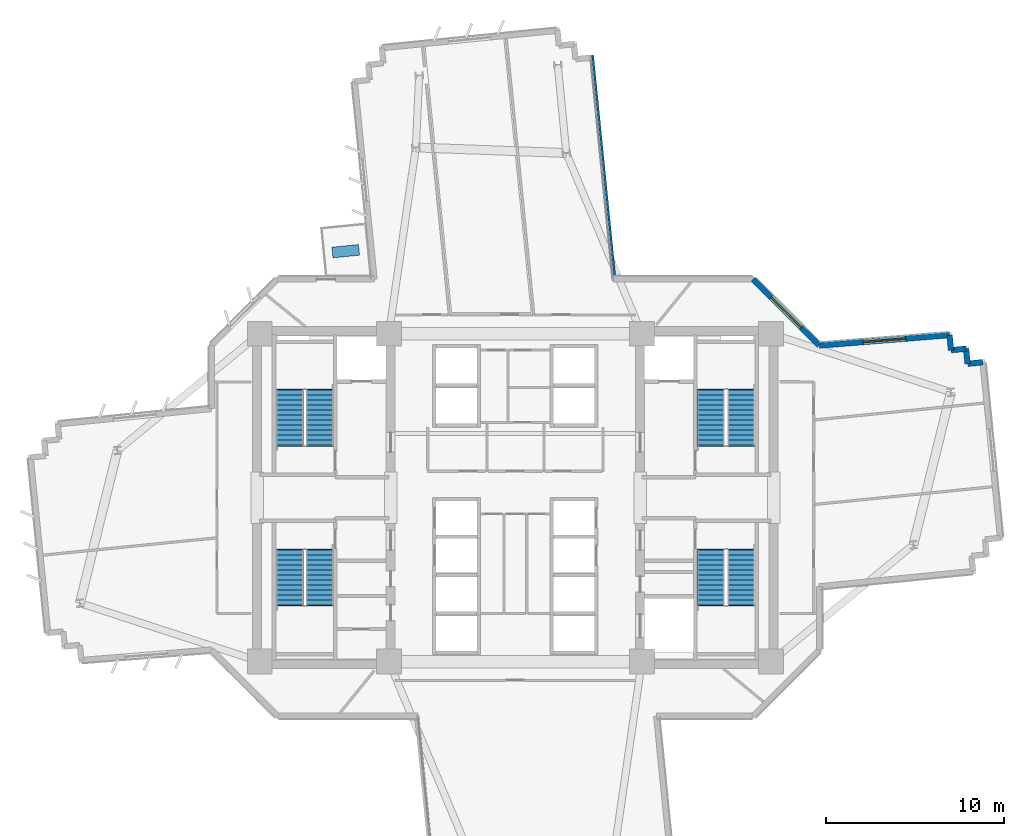
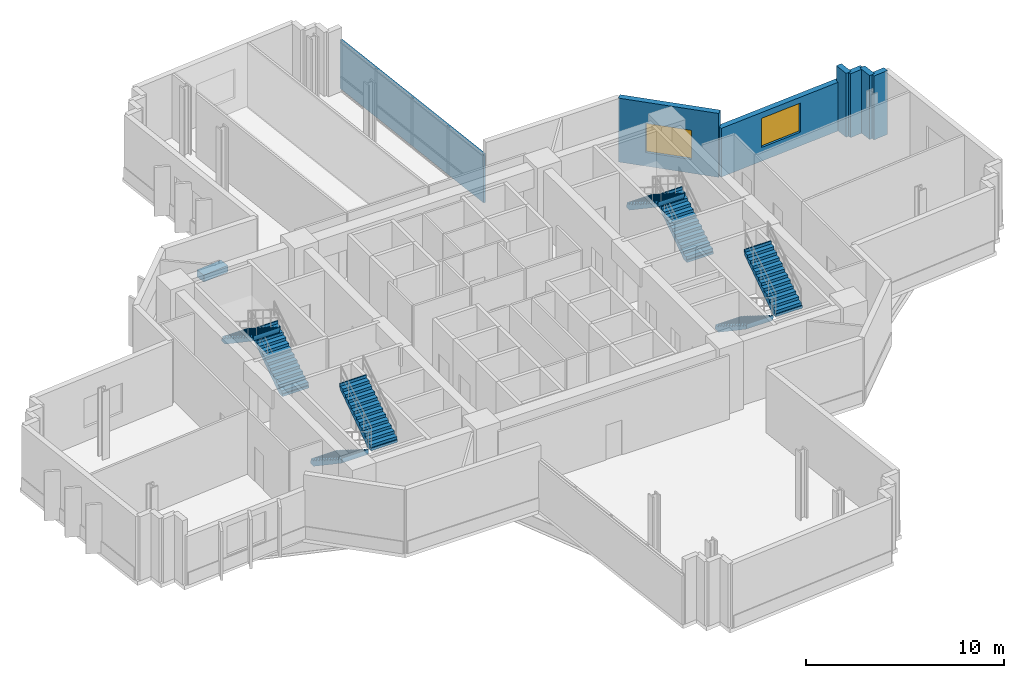
# One storey, part 10 of 14: 8 stair flights, 7 walls, 2 windows, 1 discrete accessory, 2 openings, 4 elements without a shape of their own.
"""IFC4 building model written with IfcOpenShell, lengths in metres."""

from ifc_helpers import new_model, si_unit, direction, frame, frame_2d, origin, origin_2d, place, context, subcontext, project, spatial, polyline, rectangle, outline, extrude, source, transform, mapped, material, layer, layer_set, type_object, element, fill, aggregate, save


model = new_model("IFC4")

# Units and contexts
model_context = context("Model", 3, precision=1e-05, world=origin(), true_north=direction((0.0, 1.0)))
body_context = subcontext(model_context, "Body", "Model", "MODEL_VIEW")
ifc_project = project(units=[si_unit("LENGTHUNIT", "METRE"), si_unit("AREAUNIT", "SQUARE_METRE"), si_unit("VOLUMEUNIT", "CUBIC_METRE"), si_unit("PLANEANGLEUNIT", "RADIAN"), si_unit("MASSUNIT", "GRAM", prefix="KILO")], contexts=[model_context])

# Site, building, storey
site_placement = place(None, origin())
site = spatial("IfcSite", under=ifc_project, at=site_placement, CompositionType="ELEMENT")
building_placement = place(site_placement, origin())
building = spatial("IfcBuilding", under=site, at=building_placement, Name="Zahravan Cultural Tower", CompositionType="ELEMENT")
storey_placement = place(building_placement, frame((0.0, 0.0, 100.5)))
storey = spatial("IfcBuildingStorey", under=building, at=storey_placement, Name="L22", CompositionType="ELEMENT", Elevation=100.5)

# Wall, opening, window
ifc_material_1 = material(Name="Precast concrete C40/50", Category="concrete")
ifc_layer_1 = layer(ifc_material_1, 0.320068359375)
ifc_layer_set_1 = layer_set([ifc_layer_1], Name="Precast concrete C40/50")
wall_type_1 = type_object("IfcWallType", Name="EW-TC-320", PredefinedType="SOLIDWALL", material=ifc_layer_set_1)
wall_1_placement = place(storey_placement, frame((49.342041015625, 39.260009765625, 0.0), z_axis=(0.0, 0.0, 1.0), x_axis=(0.707106781187, -0.707106781187, 0.0)))
wall_1 = element("IfcWall", 1, at=wall_1_placement, inside=storey, type_object=wall_type_1, Name="L22 Exterior Masonry Frame Wall 26", PredefinedType="SOLIDWALL", context=body_context, shape_type="SweptSolid", body=[
    extrude(rectangle(XDim=5.258056640625, YDim=0.320068359375, at=frame_2d((2.62890625, 0.0))), origin(), (0.0, 0.0, 1.0), 3.949951171875),
])
opening_1_placement = place(wall_1_placement, frame((1.428955078125, 0.0, 0.85009765625)))
opening_1 = element("IfcOpeningElement", 2, at=opening_1_placement, cuts=wall_1, Name="Opening WN-01", PredefinedType="OPENING", context=body_context, shape_type="SweptSolid", body=[
    extrude(rectangle(XDim=2.39990234375, YDim=1.800048828125, at=frame_2d((1.199951171875, 0.89990234375))), frame((0.0, 0.169921875, 0.0), z_axis=(0.0, -1.0, 0.0), x_axis=(1.0, 0.0, 0.0)), (0.0, 0.0, 1.0), 0.340087890625),
])
ifc_material_2 = material(Name="Low-E solar-control double glazing", Category="glass")
window_type = type_object("IfcWindowType", Name="WN-REC-2400X1800", PartitioningType="DOUBLE_PANEL_VERTICAL", PredefinedType="WINDOW", material=ifc_material_2)
shared_shape_1 = source(origin(), body_context, "Body", "SweptSolid", [
    extrude(rectangle(XDim=2.39990234375, YDim=1.800048828125, at=frame_2d((1.199951171875, 0.89990234375))), frame((0.0, 0.030029296875, 0.0), z_axis=(0.0, -1.0, 0.0), x_axis=(1.0, 0.0, 0.0)), (0.0, 0.0, 1.0), 0.06005859375),
])
window_1_placement = place(opening_1_placement, origin())
window_1 = element("IfcWindow", 3, at=window_1_placement, inside=storey, type_object=window_type, Name="L22 Recessed Solar Window 06", OverallHeight=1.800048828125, OverallWidth=2.39990234375, PartitioningType="DOUBLE_PANEL_VERTICAL", PredefinedType="WINDOW", context=body_context, shape_type="MappedRepresentation", body=[
    mapped(shared_shape_1, transform((0.0, 0.0, 0.0), x_axis=(1.0, 0.0, 0.0), y_axis=(0.0, 1.0, 0.0), z_axis=(0.0, 0.0, 1.0), scale=1.0)),
])
fill(opening_1, window_1)

wall_2_placement = place(storey_placement, frame((53.06005859375, 35.5419921875, 0.0), z_axis=(0.0, 0.0, 1.0), x_axis=(0.996827539556, 0.079591811023, 0.0)))
wall_2 = element("IfcWall", 4, at=wall_2_placement, inside=storey, type_object=wall_type_1, Name="L22 Exterior Masonry Frame Wall 27", PredefinedType="SOLIDWALL", context=body_context, shape_type="SweptSolid", body=[
    extrude(rectangle(XDim=7.337158203125, YDim=0.320068359375, at=frame_2d((3.66845703125, 0.0))), origin(), (0.0, 0.0, 1.0), 3.010009765625),
])
opening_2_placement = place(wall_2_placement, frame((2.468994140625, 0.0, 0.85009765625)))
opening_2 = element("IfcOpeningElement", 5, at=opening_2_placement, cuts=wall_2, Name="Opening WN-01", PredefinedType="OPENING", context=body_context, shape_type="SweptSolid", body=[
    extrude(rectangle(XDim=2.39990234375, YDim=1.800048828125, at=frame_2d((1.199951171875, 0.89990234375))), frame((0.0, 0.169921875, 0.0), z_axis=(0.0, -1.0, 0.0), x_axis=(1.0, 0.0, 0.0)), (0.0, 0.0, 1.0), 0.340087890625),
])
window_2_placement = place(opening_2_placement, origin())
window_2 = element("IfcWindow", 6, at=window_2_placement, inside=storey, type_object=window_type, Name="L22 Recessed Solar Window 07", OverallHeight=1.800048828125, OverallWidth=2.39990234375, PartitioningType="DOUBLE_PANEL_VERTICAL", PredefinedType="WINDOW", context=body_context, shape_type="MappedRepresentation", body=[
    mapped(shared_shape_1, transform((0.0, 0.0, 0.0), x_axis=(1.0, 0.0, 0.0), y_axis=(0.0, 1.0, 0.0), z_axis=(0.0, 0.0, 1.0), scale=1.0)),
])
fill(opening_2, window_2)

# Walls
shared_shape_2 = source(origin(), body_context, "Body", "SweptSolid", [
    extrude(rectangle(XDim=0.849853515625, YDim=0.320068359375, at=frame_2d((0.4248046875, 0.0))), origin(), (0.0, 0.0, 1.0), 3.949951171875),
])
for number, where, z_axis, x_axis, name in (
    (7, (60.3740234375, 36.1259765625, 0.0), (0.0, 0.0, 1.0), (0.09938995433, -0.995048560111, 0.0), "L22 Exterior Masonry Frame Wall 28"),
    (8, (61.304443359375, 35.364501953125, 0.0), (0.0, 0.0, 1.0), (0.09938995433, -0.995048560111, 0.0), "L22 Exterior Masonry Frame Wall 30"),
    (9, (61.388916015625, 34.518798828125, 0.0), (0.0, 0.0, 1.0), (0.995048560111, 0.09938995433, 0.0), "L22 Exterior Masonry Frame Wall 31"),
):
    element("IfcWall", number, at=place(storey_placement, frame(where, z_axis=z_axis, x_axis=x_axis)), inside=storey, type_object=wall_type_1, Name=name, PredefinedType="SOLIDWALL", context=body_context, shape_type="MappedRepresentation", body=[
        mapped(shared_shape_2, transform((0.0, 0.0, 0.0), x_axis=(1.0, 0.0, 0.0), y_axis=(0.0, 1.0, 0.0), z_axis=(0.0, 0.0, 1.0), scale=1.0)),
    ])
shared_shape_3 = source(origin(), body_context, "Body", "SweptSolid", [
    extrude(rectangle(XDim=0.85009765625, YDim=0.320068359375, at=frame_2d((0.425048828125, 0.0))), origin(), (0.0, 0.0, 1.0), 3.949951171875),
])
wall_3_placement = place(storey_placement, frame((60.45849609375, 35.2802734375, 0.0), z_axis=(0.0, 0.0, 1.0), x_axis=(0.995079749343, 0.09907720448, 0.0)))
element("IfcWall", 10, at=wall_3_placement, inside=storey, type_object=wall_type_1, Name="L22 Exterior Masonry Frame Wall 29", PredefinedType="SOLIDWALL", context=body_context, shape_type="MappedRepresentation", body=[
    mapped(shared_shape_3, transform((0.0, 0.0, 0.0), x_axis=(1.0, 0.0, 0.0), y_axis=(0.0, 1.0, 0.0), z_axis=(0.0, 0.0, 1.0), scale=1.0)),
])
ifc_material_3 = material(Name="Gypsum plasterboard partition")
ifc_layer_2 = layer(ifc_material_3, 0.125)
ifc_layer_set_2 = layer_set([ifc_layer_2], Name="Gypsum plasterboard partition")
wall_type_2 = type_object("IfcWallType", Name="W-PART-125", PredefinedType="PARTITIONING", material=ifc_layer_set_2)
shared_shape_4 = source(origin(), body_context, "Body", "SweptSolid", [
    extrude(rectangle(XDim=12.470458984375, YDim=0.125, at=frame_2d((6.2353515625, 0.0))), origin(), (0.0, 0.0, 1.0), 3.010009765625),
])
wall_4_placement = place(storey_placement, frame((40.3349609375, 51.83349609375, 0.0), z_axis=(0.0, 0.0, 1.0), x_axis=(0.099590945301, -0.99502846372, 0.0)))
element("IfcWall", 11, at=wall_4_placement, inside=storey, type_object=wall_type_2, Name="L22 Interior Wall 111", PredefinedType="PARTITIONING", context=body_context, shape_type="MappedRepresentation", body=[
    mapped(shared_shape_4, transform((0.0, 0.0, 0.0), x_axis=(1.0, 0.0, 0.0), y_axis=(0.0, 1.0, 0.0), z_axis=(0.0, 0.0, 1.0), scale=1.0)),
])

# Stair, stair flights
ifc_material_4 = material(Name="Concrete C45/55", Category="concrete")
stair_type = type_object("IfcStairType", Name="STR-DL-1550-420", PredefinedType="HALF_TURN_STAIR", material=ifc_material_4)
stair_1_placement = place(storey_placement, origin())
stair_1 = element("IfcStair", 12, at=stair_1_placement, inside=storey, type_object=stair_type, Name="L22 West Core North Exit Stair ST-W1", PredefinedType="HALF_TURN_STAIR")
stair_flight_type = type_object("IfcStairFlightType", Name="FLG-DL-1550-420", PredefinedType="STRAIGHT", material=ifc_material_4)
stair_flight_1_placement = place(storey_placement, frame((25.02490234375, 29.949951171875, 0.0), z_axis=(0.0, 0.0, 1.0), x_axis=(0.0, 1.0, 0.0)))
stair_flight_1 = element("IfcStairFlight", 13, at=stair_flight_1_placement, type_object=stair_flight_type, Name="ST-W1 flight 1", NumberOfRisers=12, NumberOfTreads=11, PredefinedType="STRAIGHT", RiserHeight=0.175, TreadLength=0.28, context=body_context, shape_type="SweptSolid", body=[
    extrude(outline(polyline([(-0.06494140625, -0.139892578125), (-0.06494140625, 0.0), (0.0, 0.0), (0.0, 0.175048828125), (0.280029296875, 0.175048828125), (0.280029296875, 0.35009765625), (0.56005859375, 0.35009765625), (0.56005859375, 0.52490234375), (0.840087890625, 0.52490234375), (0.840087890625, 0.699951171875), (1.1201171875, 0.699951171875), (1.1201171875, 0.875), (1.39990234375, 0.875), (1.39990234375, 1.050048828125), (1.679931640625, 1.050048828125), (1.679931640625, 1.22509765625), (1.9599609375, 1.22509765625), (1.9599609375, 1.39990234375), (2.239990234375, 1.39990234375), (2.239990234375, 1.574951171875), (2.52001953125, 1.574951171875), (2.52001953125, 1.75), (2.800048828125, 1.75), (2.800048828125, 1.925048828125), (3.080078125, 1.925048828125), (3.080078125, 2.10009765625), (3.14501953125, 2.10009765625), (3.14501953125, 1.9501953125), (3.080078125, 1.748291015625), (0.28271484375, -0.139892578125), (-0.06494140625, -0.139892578125)])), frame((0.0, 0.77490234375, 0.0), z_axis=(0.0, -1.0, 0.0), x_axis=(1.0, 0.0, 0.0)), (0.0, 0.0, 1.0), 1.550048828125),
])
stair_flight_2_placement = place(storey_placement, frame((23.324951171875, 33.030029296875, 2.10009765625), z_axis=(0.0, 0.0, 1.0), x_axis=(0.0, -1.0, 0.0)))
stair_flight_2 = element("IfcStairFlight", 14, at=stair_flight_2_placement, type_object=stair_flight_type, Name="ST-W1 flight 2", NumberOfRisers=12, NumberOfTreads=11, PredefinedType="STRAIGHT", RiserHeight=0.175, TreadLength=0.28, context=body_context, shape_type="SweptSolid", body=[
    extrude(outline(polyline([(-0.06494140625, -0.139892578125), (-0.06494140625, 0.0), (0.0, 0.0), (0.0, 0.175048828125), (0.280029296875, 0.175048828125), (0.280029296875, 0.35009765625), (0.56005859375, 0.35009765625), (0.56005859375, 0.52490234375), (0.840087890625, 0.52490234375), (0.840087890625, 0.699951171875), (1.1201171875, 0.699951171875), (1.1201171875, 0.875), (1.39990234375, 0.875), (1.39990234375, 1.050048828125), (1.679931640625, 1.050048828125), (1.679931640625, 1.22509765625), (1.9599609375, 1.22509765625), (1.9599609375, 1.39990234375), (2.239990234375, 1.39990234375), (2.239990234375, 1.574951171875), (2.52001953125, 1.574951171875), (2.52001953125, 1.75), (2.800048828125, 1.75), (2.800048828125, 1.925048828125), (3.080078125, 1.925048828125), (3.080078125, 2.10009765625), (3.14501953125, 2.10009765625), (3.14501953125, 1.9501953125), (3.080078125, 1.748291015625), (0.28271484375, -0.139892578125), (-0.06494140625, -0.139892578125)])), frame((0.0, 0.77490234375, 0.0), z_axis=(0.0, -1.0, 0.0), x_axis=(1.0, 0.0, 0.0)), (0.0, 0.0, 1.0), 1.550048828125),
])
aggregate(stair_1, [stair_flight_1, stair_flight_2])

stair_2_placement = place(storey_placement, origin())
stair_2 = element("IfcStair", 15, at=stair_2_placement, inside=storey, type_object=stair_type, Name="L22 West Core South Exit Stair ST-W2", PredefinedType="HALF_TURN_STAIR")
stair_flight_3_placement = place(storey_placement, frame((23.324951171875, 24.050048828125, 0.0), z_axis=(0.0, 0.0, 1.0), x_axis=(0.0, -1.0, 0.0)))
stair_flight_3 = element("IfcStairFlight", 16, at=stair_flight_3_placement, type_object=stair_flight_type, Name="ST-W2 flight 1", NumberOfRisers=12, NumberOfTreads=11, PredefinedType="STRAIGHT", RiserHeight=0.175, TreadLength=0.28, context=body_context, shape_type="SweptSolid", body=[
    extrude(outline(polyline([(-0.06494140625, -0.139892578125), (-0.06494140625, 0.0), (0.0, 0.0), (0.0, 0.175048828125), (0.280029296875, 0.175048828125), (0.280029296875, 0.35009765625), (0.56005859375, 0.35009765625), (0.56005859375, 0.52490234375), (0.840087890625, 0.52490234375), (0.840087890625, 0.699951171875), (1.1201171875, 0.699951171875), (1.1201171875, 0.875), (1.39990234375, 0.875), (1.39990234375, 1.050048828125), (1.679931640625, 1.050048828125), (1.679931640625, 1.22509765625), (1.9599609375, 1.22509765625), (1.9599609375, 1.39990234375), (2.239990234375, 1.39990234375), (2.239990234375, 1.574951171875), (2.52001953125, 1.574951171875), (2.52001953125, 1.75), (2.800048828125, 1.75), (2.800048828125, 1.925048828125), (3.080078125, 1.925048828125), (3.080078125, 2.10009765625), (3.14501953125, 2.10009765625), (3.14501953125, 1.9501953125), (3.080078125, 1.748291015625), (0.28271484375, -0.139892578125), (-0.06494140625, -0.139892578125)])), frame((0.0, 0.77490234375, 0.0), z_axis=(0.0, -1.0, 0.0), x_axis=(1.0, 0.0, 0.0)), (0.0, 0.0, 1.0), 1.550048828125),
])
stair_flight_4_placement = place(storey_placement, frame((25.02490234375, 20.969970703125, 2.10009765625), z_axis=(0.0, 0.0, 1.0), x_axis=(0.0, 1.0, 0.0)))
stair_flight_4 = element("IfcStairFlight", 17, at=stair_flight_4_placement, type_object=stair_flight_type, Name="ST-W2 flight 2", NumberOfRisers=12, NumberOfTreads=11, PredefinedType="STRAIGHT", RiserHeight=0.175, TreadLength=0.28, context=body_context, shape_type="SweptSolid", body=[
    extrude(outline(polyline([(-0.06494140625, -0.139892578125), (-0.06494140625, 0.0), (0.0, 0.0), (0.0, 0.175048828125), (0.280029296875, 0.175048828125), (0.280029296875, 0.35009765625), (0.56005859375, 0.35009765625), (0.56005859375, 0.52490234375), (0.840087890625, 0.52490234375), (0.840087890625, 0.699951171875), (1.1201171875, 0.699951171875), (1.1201171875, 0.875), (1.39990234375, 0.875), (1.39990234375, 1.050048828125), (1.679931640625, 1.050048828125), (1.679931640625, 1.22509765625), (1.9599609375, 1.22509765625), (1.9599609375, 1.39990234375), (2.239990234375, 1.39990234375), (2.239990234375, 1.574951171875), (2.52001953125, 1.574951171875), (2.52001953125, 1.75), (2.800048828125, 1.75), (2.800048828125, 1.925048828125), (3.080078125, 1.925048828125), (3.080078125, 2.10009765625), (3.14501953125, 2.10009765625), (3.14501953125, 1.9501953125), (3.080078125, 1.748291015625), (0.28271484375, -0.139892578125), (-0.06494140625, -0.139892578125)])), frame((0.0, 0.77490234375, 0.0), z_axis=(0.0, -1.0, 0.0), x_axis=(1.0, 0.0, 0.0)), (0.0, 0.0, 1.0), 1.550048828125),
])
aggregate(stair_2, [stair_flight_3, stair_flight_4])

stair_3_placement = place(storey_placement, origin())
stair_3 = element("IfcStair", 18, at=stair_3_placement, inside=storey, type_object=stair_type, Name="L22 East Core North Exit Stair ST-E1", PredefinedType="HALF_TURN_STAIR")
stair_flight_5_placement = place(storey_placement, frame((48.675048828125, 29.949951171875, 0.0), z_axis=(0.0, 0.0, 1.0), x_axis=(0.0, 1.0, 0.0)))
stair_flight_5 = element("IfcStairFlight", 19, at=stair_flight_5_placement, type_object=stair_flight_type, Name="ST-E1 flight 1", NumberOfRisers=12, NumberOfTreads=11, PredefinedType="STRAIGHT", RiserHeight=0.175, TreadLength=0.28, context=body_context, shape_type="SweptSolid", body=[
    extrude(outline(polyline([(-0.06494140625, -0.139892578125), (-0.06494140625, 0.0), (0.0, 0.0), (0.0, 0.175048828125), (0.280029296875, 0.175048828125), (0.280029296875, 0.35009765625), (0.56005859375, 0.35009765625), (0.56005859375, 0.52490234375), (0.840087890625, 0.52490234375), (0.840087890625, 0.699951171875), (1.1201171875, 0.699951171875), (1.1201171875, 0.875), (1.39990234375, 0.875), (1.39990234375, 1.050048828125), (1.679931640625, 1.050048828125), (1.679931640625, 1.22509765625), (1.9599609375, 1.22509765625), (1.9599609375, 1.39990234375), (2.239990234375, 1.39990234375), (2.239990234375, 1.574951171875), (2.52001953125, 1.574951171875), (2.52001953125, 1.75), (2.800048828125, 1.75), (2.800048828125, 1.925048828125), (3.080078125, 1.925048828125), (3.080078125, 2.10009765625), (3.14501953125, 2.10009765625), (3.14501953125, 1.9501953125), (3.080078125, 1.748291015625), (0.28271484375, -0.139892578125), (-0.06494140625, -0.139892578125)])), frame((0.0, 0.77490234375, 0.0), z_axis=(0.0, -1.0, 0.0), x_axis=(1.0, 0.0, 0.0)), (0.0, 0.0, 1.0), 1.550048828125),
])
stair_flight_6_placement = place(storey_placement, frame((46.97509765625, 33.030029296875, 2.10009765625), z_axis=(0.0, 0.0, 1.0), x_axis=(0.0, -1.0, 0.0)))
stair_flight_6 = element("IfcStairFlight", 20, at=stair_flight_6_placement, type_object=stair_flight_type, Name="ST-E1 flight 2", NumberOfRisers=12, NumberOfTreads=11, PredefinedType="STRAIGHT", RiserHeight=0.175, TreadLength=0.28, context=body_context, shape_type="SweptSolid", body=[
    extrude(outline(polyline([(-0.06494140625, -0.139892578125), (-0.06494140625, 0.0), (0.0, 0.0), (0.0, 0.175048828125), (0.280029296875, 0.175048828125), (0.280029296875, 0.35009765625), (0.56005859375, 0.35009765625), (0.56005859375, 0.52490234375), (0.840087890625, 0.52490234375), (0.840087890625, 0.699951171875), (1.1201171875, 0.699951171875), (1.1201171875, 0.875), (1.39990234375, 0.875), (1.39990234375, 1.050048828125), (1.679931640625, 1.050048828125), (1.679931640625, 1.22509765625), (1.9599609375, 1.22509765625), (1.9599609375, 1.39990234375), (2.239990234375, 1.39990234375), (2.239990234375, 1.574951171875), (2.52001953125, 1.574951171875), (2.52001953125, 1.75), (2.800048828125, 1.75), (2.800048828125, 1.925048828125), (3.080078125, 1.925048828125), (3.080078125, 2.10009765625), (3.14501953125, 2.10009765625), (3.14501953125, 1.9501953125), (3.080078125, 1.748291015625), (0.28271484375, -0.139892578125), (-0.06494140625, -0.139892578125)])), frame((0.0, 0.77490234375, 0.0), z_axis=(0.0, -1.0, 0.0), x_axis=(1.0, 0.0, 0.0)), (0.0, 0.0, 1.0), 1.550048828125),
])
aggregate(stair_3, [stair_flight_5, stair_flight_6])

stair_4_placement = place(storey_placement, origin())
stair_4 = element("IfcStair", 21, at=stair_4_placement, inside=storey, type_object=stair_type, Name="L22 East Core South Exit Stair ST-E2", PredefinedType="HALF_TURN_STAIR")
stair_flight_7_placement = place(storey_placement, frame((46.97509765625, 24.050048828125, 0.0), z_axis=(0.0, 0.0, 1.0), x_axis=(0.0, -1.0, 0.0)))
stair_flight_7 = element("IfcStairFlight", 22, at=stair_flight_7_placement, type_object=stair_flight_type, Name="ST-E2 flight 1", NumberOfRisers=12, NumberOfTreads=11, PredefinedType="STRAIGHT", RiserHeight=0.175, TreadLength=0.28, context=body_context, shape_type="SweptSolid", body=[
    extrude(outline(polyline([(-0.06494140625, -0.139892578125), (-0.06494140625, 0.0), (0.0, 0.0), (0.0, 0.175048828125), (0.280029296875, 0.175048828125), (0.280029296875, 0.35009765625), (0.56005859375, 0.35009765625), (0.56005859375, 0.52490234375), (0.840087890625, 0.52490234375), (0.840087890625, 0.699951171875), (1.1201171875, 0.699951171875), (1.1201171875, 0.875), (1.39990234375, 0.875), (1.39990234375, 1.050048828125), (1.679931640625, 1.050048828125), (1.679931640625, 1.22509765625), (1.9599609375, 1.22509765625), (1.9599609375, 1.39990234375), (2.239990234375, 1.39990234375), (2.239990234375, 1.574951171875), (2.52001953125, 1.574951171875), (2.52001953125, 1.75), (2.800048828125, 1.75), (2.800048828125, 1.925048828125), (3.080078125, 1.925048828125), (3.080078125, 2.10009765625), (3.14501953125, 2.10009765625), (3.14501953125, 1.9501953125), (3.080078125, 1.748291015625), (0.28271484375, -0.139892578125), (-0.06494140625, -0.139892578125)])), frame((0.0, 0.77490234375, 0.0), z_axis=(0.0, -1.0, 0.0), x_axis=(1.0, 0.0, 0.0)), (0.0, 0.0, 1.0), 1.550048828125),
])
stair_flight_8_placement = place(storey_placement, frame((48.675048828125, 20.969970703125, 2.10009765625), z_axis=(0.0, 0.0, 1.0), x_axis=(0.0, 1.0, 0.0)))
stair_flight_8 = element("IfcStairFlight", 23, at=stair_flight_8_placement, type_object=stair_flight_type, Name="ST-E2 flight 2", NumberOfRisers=12, NumberOfTreads=11, PredefinedType="STRAIGHT", RiserHeight=0.175, TreadLength=0.28, context=body_context, shape_type="SweptSolid", body=[
    extrude(outline(polyline([(-0.06494140625, -0.139892578125), (-0.06494140625, 0.0), (0.0, 0.0), (0.0, 0.175048828125), (0.280029296875, 0.175048828125), (0.280029296875, 0.35009765625), (0.56005859375, 0.35009765625), (0.56005859375, 0.52490234375), (0.840087890625, 0.52490234375), (0.840087890625, 0.699951171875), (1.1201171875, 0.699951171875), (1.1201171875, 0.875), (1.39990234375, 0.875), (1.39990234375, 1.050048828125), (1.679931640625, 1.050048828125), (1.679931640625, 1.22509765625), (1.9599609375, 1.22509765625), (1.9599609375, 1.39990234375), (2.239990234375, 1.39990234375), (2.239990234375, 1.574951171875), (2.52001953125, 1.574951171875), (2.52001953125, 1.75), (2.800048828125, 1.75), (2.800048828125, 1.925048828125), (3.080078125, 1.925048828125), (3.080078125, 2.10009765625), (3.14501953125, 2.10009765625), (3.14501953125, 1.9501953125), (3.080078125, 1.748291015625), (0.28271484375, -0.139892578125), (-0.06494140625, -0.139892578125)])), frame((0.0, 0.77490234375, 0.0), z_axis=(0.0, -1.0, 0.0), x_axis=(1.0, 0.0, 0.0)), (0.0, 0.0, 1.0), 1.550048828125),
])
aggregate(stair_4, [stair_flight_7, stair_flight_8])

# Discrete accessory
ifc_material_5 = material(Name="Planted soil and terracotta planter", Category="masonry")
discrete_accessory_type = type_object("IfcDiscreteAccessoryType", Name="ACC-PLANTER-TC", PredefinedType="USERDEFINED", material=ifc_material_5)
shared_shape_5 = source(origin(), body_context, "Body", "SweptSolid", [
    extrude(rectangle(XDim=1.5, YDim=0.60009765625, at=origin_2d()), origin(), (0.0, 0.0, 1.0), 0.419921875),
])
discrete_accessory_placement = place(storey_placement, frame((26.476318359375, 40.834716796875, 0.0), z_axis=(0.0, 0.0, 1.0), x_axis=(0.995055569961, 0.099319749744, 0.0)))
element("IfcDiscreteAccessory", 24, at=discrete_accessory_placement, inside=storey, type_object=discrete_accessory_type, Name="L22 Terracotta Sculpture Planter NW", ObjectType="PLANTER", PredefinedType="USERDEFINED", context=body_context, shape_type="MappedRepresentation", body=[
    mapped(shared_shape_5, transform((0.0, 0.0, 0.0), x_axis=(1.0, 0.0, 0.0), y_axis=(0.0, 1.0, 0.0), z_axis=(0.0, 0.0, 1.0), scale=1.0)),
])

save(model, "model.ifc")
